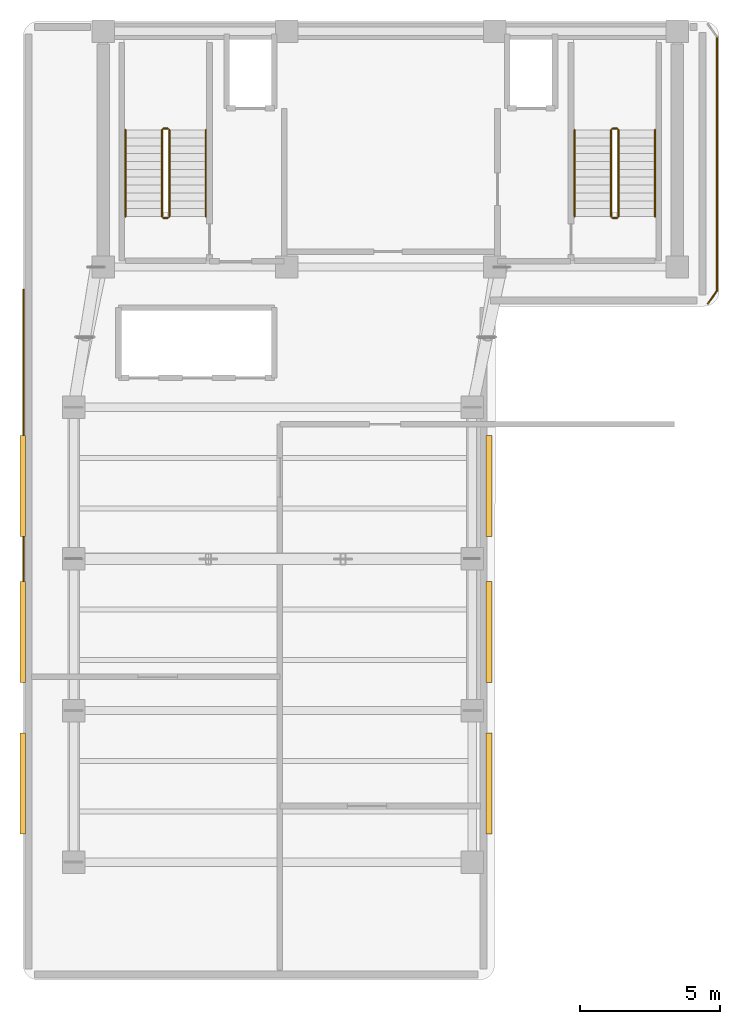
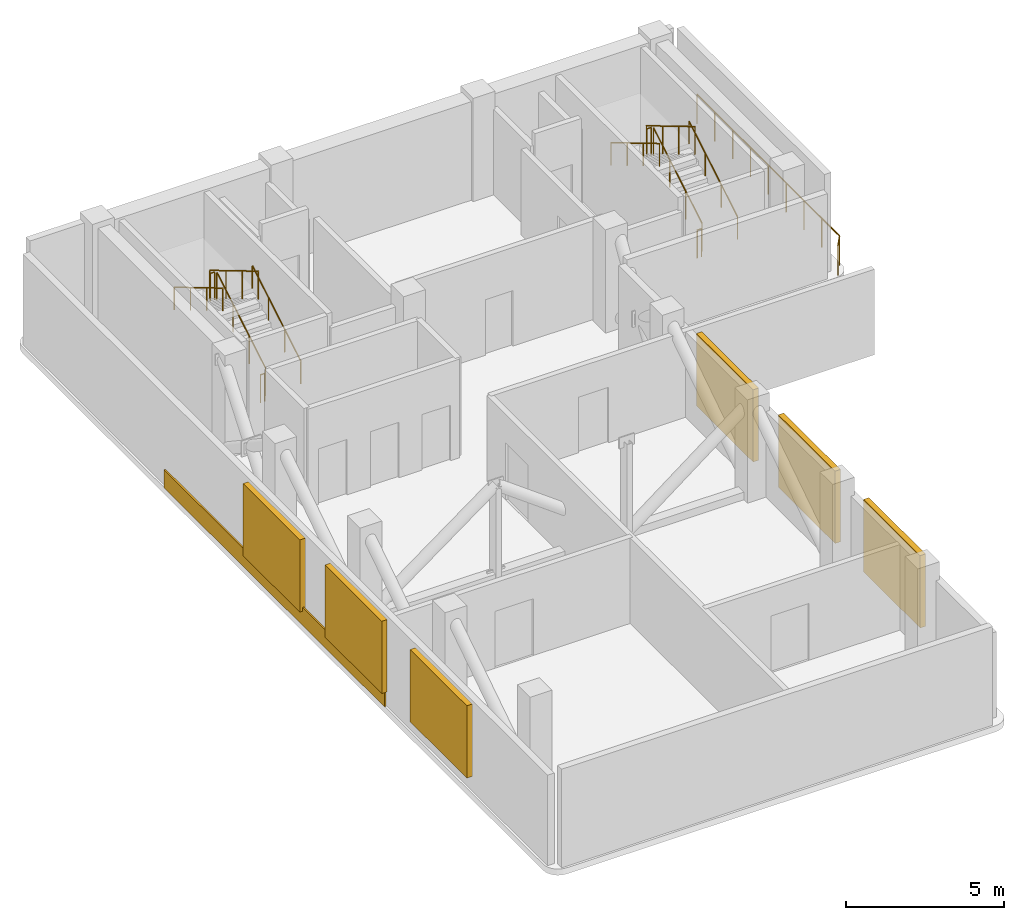
# One storey, part 4 of 5: 14 railings, 6 shading devices, 1 covering.
"""IFC4 building model written with IfcOpenShell, lengths in metres."""

from ifc_helpers import new_model, si_unit, direction, frame, origin, origin_2d, place, context, subcontext, project, spatial, rectangle, circle, extrude, material, layer, layer_set, type_object, element, save


model = new_model("IFC4")

# Units and contexts
model_context = context("Model", 3, precision=1e-05, world=origin(), true_north=direction((0.0, 1.0)))
body_context = subcontext(model_context, "Body", "Model", "MODEL_VIEW")
ifc_project = project(units=[si_unit("LENGTHUNIT", "METRE"), si_unit("AREAUNIT", "SQUARE_METRE"), si_unit("VOLUMEUNIT", "CUBIC_METRE"), si_unit("PLANEANGLEUNIT", "RADIAN"), si_unit("MASSUNIT", "GRAM", prefix="KILO")], contexts=[model_context])

# Site, building, storey
site_placement = place(None, origin())
site = spatial("IfcSite", under=ifc_project, at=site_placement, CompositionType="ELEMENT")
building_placement = place(site_placement, origin())
building = spatial("IfcBuilding", under=site, at=building_placement, Name="Kuzgunbayir Cultural Tower", CompositionType="ELEMENT")
storey_placement = place(building_placement, frame((0.0, 0.0, 214.39990234375)))
storey = spatial("IfcBuildingStorey", under=building, at=storey_placement, Name="L63", CompositionType="ELEMENT", Elevation=214.39990234375)

# Covering
ifc_material_1 = material(Name="Anatolian Cream Limestone", Category="masonry")
ifc_layer_1 = layer(ifc_material_1, 0.06005859375)
ifc_layer_set_1 = layer_set([ifc_layer_1], Name="Anatolian Cream Limestone")
covering_type = type_object("IfcCoveringType", Name="COV-CLAD-LIMESTONE-6", PredefinedType="CLADDING", material=ifc_layer_set_1)
covering_placement = place(storey_placement, frame((3.6201171875, 26.0, 0.0), z_axis=(0.0, 0.0, 1.0), x_axis=(1.0, 0.0, 0.0)))
element("IfcCovering", 1, at=covering_placement, inside=storey, type_object=covering_type, Name="L63 Architectural Spandrel Cladding Band", PredefinedType="CLADDING", context=body_context, shape_type="SweptSolid", body=[
    extrude(rectangle(XDim=0.06005859375, YDim=14.0, at=origin_2d()), origin(), (0.0, 0.0, 1.0), 0.699951171875),
])

# Railings
ifc_material_2 = material(Name="Laminated Glass and Stainless Steel", Category="steel")
ifc_layer_2 = layer(ifc_material_2, 0.080078125)
ifc_layer_set_2 = layer_set([ifc_layer_2], Name="Laminated Glass and Stainless Steel")
railing_type_1 = type_object("IfcRailingType", Name="RLG-BAL-115", PredefinedType="BALUSTRADE", material=ifc_layer_set_2)
railing_1_placement = place(storey_placement, frame((28.320068359375, 42.0, 0.0)))
element("IfcRailing", 2, at=railing_1_placement, inside=storey, type_object=railing_type_1, Name="L63 Perimeter Edge Guard 2", PredefinedType="BALUSTRADE", context=body_context, shape_type="SweptSolid", body=[
    extrude(circle(Radius=0.02392578125, at=origin_2d()), frame((0.0, 0.0, 1.1259765625), z_axis=(0.0, -1.0, 0.0), x_axis=(1.0, 0.0, 0.0)), (0.0, 0.0, 1.0), 9.050048828125),
    extrude(circle(Radius=0.02099609375, at=origin_2d()), origin(), (0.0, 0.0, 1.0), 1.101806640625),
    extrude(circle(Radius=0.02099609375, at=origin_2d()), frame((0.0, -1.13134765625, 0.0)), (0.0, 0.0, 1.0), 1.101806640625),
    extrude(circle(Radius=0.02099609375, at=origin_2d()), frame((0.0, -2.262451171875, 0.0)), (0.0, 0.0, 1.0), 1.101806640625),
    extrude(circle(Radius=0.02099609375, at=origin_2d()), frame((0.0, -3.393798828125, 0.0)), (0.0, 0.0, 1.0), 1.101806640625),
    extrude(circle(Radius=0.02099609375, at=origin_2d()), frame((0.0, -4.52490234375, 0.0)), (0.0, 0.0, 1.0), 1.101806640625),
    extrude(circle(Radius=0.02099609375, at=origin_2d()), frame((0.0, -5.65625, 0.0)), (0.0, 0.0, 1.0), 1.101806640625),
    extrude(circle(Radius=0.02099609375, at=origin_2d()), frame((0.0, -6.78759765625, 0.0)), (0.0, 0.0, 1.0), 1.101806640625),
    extrude(circle(Radius=0.02099609375, at=origin_2d()), frame((0.0, -7.918701171875, 0.0)), (0.0, 0.0, 1.0), 1.101806640625),
    extrude(circle(Radius=0.02099609375, at=origin_2d()), frame((0.0, -9.050048828125, 0.0)), (0.0, 0.0, 1.0), 1.101806640625),
])
railing_2_placement = place(storey_placement, frame((28.320068359375, 32.949951171875, 0.0)))
element("IfcRailing", 3, at=railing_2_placement, inside=storey, type_object=railing_type_1, Name="L63 Perimeter Edge Guard 3", PredefinedType="BALUSTRADE", context=body_context, shape_type="SweptSolid", body=[
    extrude(circle(Radius=0.02392578125, at=origin_2d()), frame((0.0, 0.0, 1.1259765625), z_axis=(-0.579647764944, -0.81486714782, 0.0), x_axis=(0.81486714782, -0.579647764944, 0.0)), (0.0, 0.0, 1.0), 0.55224609375),
    extrude(circle(Radius=0.02099609375, at=origin_2d()), origin(), (0.0, 0.0, 1.0), 1.101806640625),
    extrude(circle(Radius=0.02099609375, at=origin_2d()), frame((-0.320068359375, -0.449951171875, 0.0)), (0.0, 0.0, 1.0), 1.101806640625),
])
ifc_material_3 = material(Name="Brushed Stainless Steel", Category="steel")
ifc_layer_3 = layer(ifc_material_3, 0.050048828125)
ifc_layer_set_3 = layer_set([ifc_layer_3], Name="Brushed Stainless Steel")
railing_type_2 = type_object("IfcRailingType", Name="RLG-STAIR-HANDRAIL", PredefinedType="HANDRAIL", material=ifc_layer_set_3)
railing_3_placement = place(storey_placement, frame((10.110107421875, 35.60009765625, 0.166748046875)))
element("IfcRailing", 4, at=railing_3_placement, inside=storey, type_object=railing_type_2, Name="L63 ST-1 stair handrail 1", PredefinedType="HANDRAIL", context=body_context, shape_type="SweptSolid", body=[
    extrude(circle(Radius=0.02392578125, at=origin_2d()), frame((0.0, 0.0, 0.8759765625), z_axis=(0.0, 0.859290745958, 0.51148745235), x_axis=(-1.0, 0.0, 0.0)), (0.0, 0.0, 1.0), 3.584228515625),
    extrude(circle(Radius=0.02099609375, at=origin_2d()), origin(), (0.0, 0.0, 1.0), 0.851806640625),
    extrude(circle(Radius=0.02099609375, at=origin_2d()), frame((0.0, 1.026611328125, 0.611083984375)), (0.0, 0.0, 1.0), 0.851806640625),
    extrude(circle(Radius=0.02099609375, at=origin_2d()), frame((0.0, 2.05322265625, 1.22216796875)), (0.0, 0.0, 1.0), 0.851806640625),
    extrude(circle(Radius=0.02099609375, at=origin_2d()), frame((0.0, 3.079833984375, 1.833251953125)), (0.0, 0.0, 1.0), 0.851806640625),
])
railing_4_placement = place(storey_placement, frame((7.25, 38.679931640625, 2.166748046875)))
element("IfcRailing", 5, at=railing_4_placement, inside=storey, type_object=railing_type_2, Name="L63 ST-1 stair handrail 2", PredefinedType="HANDRAIL", context=body_context, shape_type="SweptSolid", body=[
    extrude(circle(Radius=0.02392578125, at=origin_2d()), frame((0.0, 0.0, 0.8759765625), z_axis=(0.0, -0.859290745958, 0.51148745235), x_axis=(1.0, 0.0, 0.0)), (0.0, 0.0, 1.0), 3.584228515625),
    extrude(circle(Radius=0.02099609375, at=origin_2d()), origin(), (0.0, 0.0, 1.0), 0.851806640625),
    extrude(circle(Radius=0.02099609375, at=origin_2d()), frame((0.0, -1.026611328125, 0.611083984375)), (0.0, 0.0, 1.0), 0.851806640625),
    extrude(circle(Radius=0.02099609375, at=origin_2d()), frame((0.0, -2.05322265625, 1.22216796875)), (0.0, 0.0, 1.0), 0.851806640625),
    extrude(circle(Radius=0.02099609375, at=origin_2d()), frame((0.0, -3.079833984375, 1.833251953125)), (0.0, 0.0, 1.0), 0.851806640625),
])
railing_5_placement = place(storey_placement, frame((26.110107421875, 35.60009765625, 0.166748046875)))
element("IfcRailing", 6, at=railing_5_placement, inside=storey, type_object=railing_type_2, Name="L63 ST-2 stair handrail 1", PredefinedType="HANDRAIL", context=body_context, shape_type="SweptSolid", body=[
    extrude(circle(Radius=0.02392578125, at=origin_2d()), frame((0.0, 0.0, 0.8759765625), z_axis=(0.0, 0.859290745958, 0.51148745235), x_axis=(-1.0, 0.0, 0.0)), (0.0, 0.0, 1.0), 3.584228515625),
    extrude(circle(Radius=0.02099609375, at=origin_2d()), origin(), (0.0, 0.0, 1.0), 0.851806640625),
    extrude(circle(Radius=0.02099609375, at=origin_2d()), frame((0.0, 1.026611328125, 0.611083984375)), (0.0, 0.0, 1.0), 0.851806640625),
    extrude(circle(Radius=0.02099609375, at=origin_2d()), frame((0.0, 2.05322265625, 1.22216796875)), (0.0, 0.0, 1.0), 0.851806640625),
    extrude(circle(Radius=0.02099609375, at=origin_2d()), frame((0.0, 3.079833984375, 1.833251953125)), (0.0, 0.0, 1.0), 0.851806640625),
])
railing_6_placement = place(storey_placement, frame((23.25, 38.679931640625, 2.166748046875)))
element("IfcRailing", 7, at=railing_6_placement, inside=storey, type_object=railing_type_2, Name="L63 ST-2 stair handrail 2", PredefinedType="HANDRAIL", context=body_context, shape_type="SweptSolid", body=[
    extrude(circle(Radius=0.02392578125, at=origin_2d()), frame((0.0, 0.0, 0.8759765625), z_axis=(0.0, -0.859290745958, 0.51148745235), x_axis=(1.0, 0.0, 0.0)), (0.0, 0.0, 1.0), 3.584228515625),
    extrude(circle(Radius=0.02099609375, at=origin_2d()), origin(), (0.0, 0.0, 1.0), 0.851806640625),
    extrude(circle(Radius=0.02099609375, at=origin_2d()), frame((0.0, -1.026611328125, 0.611083984375)), (0.0, 0.0, 1.0), 0.851806640625),
    extrude(circle(Radius=0.02099609375, at=origin_2d()), frame((0.0, -2.05322265625, 1.22216796875)), (0.0, 0.0, 1.0), 0.851806640625),
    extrude(circle(Radius=0.02099609375, at=origin_2d()), frame((0.0, -3.079833984375, 1.833251953125)), (0.0, 0.0, 1.0), 0.851806640625),
])
ifc_material_4 = material(Name="Painted Steel Balustrade", Category="steel")
ifc_layer_4 = layer(ifc_material_4, 0.06005859375)
ifc_layer_set_4 = layer_set([ifc_layer_4], Name="Painted Steel Balustrade")
railing_type_3 = type_object("IfcRailingType", Name="RLG-WELL-GUARD", PredefinedType="GUARDRAIL", material=ifc_layer_set_4)
railing_7_placement = place(storey_placement, frame((8.81005859375, 35.60009765625, 0.166748046875)))
element("IfcRailing", 8, at=railing_7_placement, inside=storey, type_object=railing_type_3, Name="L63 ST-1 stair guard 1", PredefinedType="GUARDRAIL", context=body_context, shape_type="SweptSolid", body=[
    extrude(circle(Radius=0.02392578125, at=origin_2d()), frame((0.0, 0.0, 1.076171875), z_axis=(0.0, 0.859290745958, 0.51148745235), x_axis=(-1.0, 0.0, 0.0)), (0.0, 0.0, 1.0), 3.584228515625),
    extrude(circle(Radius=0.02099609375, at=origin_2d()), origin(), (0.0, 0.0, 1.0), 1.052001953125),
    extrude(circle(Radius=0.02099609375, at=origin_2d()), frame((0.0, 1.026611328125, 0.611083984375)), (0.0, 0.0, 1.0), 1.052001953125),
    extrude(circle(Radius=0.02099609375, at=origin_2d()), frame((0.0, 2.05322265625, 1.22216796875)), (0.0, 0.0, 1.0), 1.052001953125),
    extrude(circle(Radius=0.02099609375, at=origin_2d()), frame((0.0, 3.079833984375, 1.833251953125)), (0.0, 0.0, 1.0), 1.052001953125),
])
railing_8_placement = place(storey_placement, frame((8.760009765625, 38.72998046875, 2.0)))
element("IfcRailing", 9, at=railing_8_placement, inside=storey, type_object=railing_type_3, Name="L63 ST-1 stair guard 2", PredefinedType="GUARDRAIL", context=body_context, shape_type="SweptSolid", body=[
    extrude(circle(Radius=0.02392578125, at=origin_2d()), frame((0.0, 0.0, 1.076171875), z_axis=(-1.0, 0.0, 0.0), x_axis=(0.0, -1.0, 0.0)), (0.0, 0.0, 1.0), 0.159912109375),
    extrude(circle(Radius=0.02099609375, at=origin_2d()), origin(), (0.0, 0.0, 1.0), 1.052001953125),
    extrude(circle(Radius=0.02099609375, at=origin_2d()), frame((-0.159912109375, 0.0, 0.0)), (0.0, 0.0, 1.0), 1.052001953125),
])
railing_9_placement = place(storey_placement, frame((8.550048828125, 38.679931640625, 2.166748046875)))
element("IfcRailing", 10, at=railing_9_placement, inside=storey, type_object=railing_type_3, Name="L63 ST-1 stair guard 3", PredefinedType="GUARDRAIL", context=body_context, shape_type="SweptSolid", body=[
    extrude(circle(Radius=0.02392578125, at=origin_2d()), frame((0.0, 0.0, 1.076171875), z_axis=(0.0, -0.859290745958, 0.51148745235), x_axis=(1.0, 0.0, 0.0)), (0.0, 0.0, 1.0), 3.584228515625),
    extrude(circle(Radius=0.02099609375, at=origin_2d()), origin(), (0.0, 0.0, 1.0), 1.052001953125),
    extrude(circle(Radius=0.02099609375, at=origin_2d()), frame((0.0, -1.026611328125, 0.611083984375)), (0.0, 0.0, 1.0), 1.052001953125),
    extrude(circle(Radius=0.02099609375, at=origin_2d()), frame((0.0, -2.05322265625, 1.22216796875)), (0.0, 0.0, 1.0), 1.052001953125),
    extrude(circle(Radius=0.02099609375, at=origin_2d()), frame((0.0, -3.079833984375, 1.833251953125)), (0.0, 0.0, 1.0), 1.052001953125),
])
railing_10_placement = place(storey_placement, frame((8.760009765625, 35.550048828125, 0.0)))
element("IfcRailing", 11, at=railing_10_placement, inside=storey, type_object=railing_type_3, Name="L63 ST-1 stair guard 4", PredefinedType="GUARDRAIL", context=body_context, shape_type="SweptSolid", body=[
    extrude(circle(Radius=0.02392578125, at=origin_2d()), frame((0.0, 0.0, 1.076171875), z_axis=(-1.0, 0.0, 0.0), x_axis=(0.0, -1.0, 0.0)), (0.0, 0.0, 1.0), 0.159912109375),
    extrude(circle(Radius=0.02099609375, at=origin_2d()), origin(), (0.0, 0.0, 1.0), 1.052001953125),
    extrude(circle(Radius=0.02099609375, at=origin_2d()), frame((-0.159912109375, 0.0, 0.0)), (0.0, 0.0, 1.0), 1.052001953125),
])
railing_11_placement = place(storey_placement, frame((24.81005859375, 35.60009765625, 0.166748046875)))
element("IfcRailing", 12, at=railing_11_placement, inside=storey, type_object=railing_type_3, Name="L63 ST-2 stair guard 1", PredefinedType="GUARDRAIL", context=body_context, shape_type="SweptSolid", body=[
    extrude(circle(Radius=0.02392578125, at=origin_2d()), frame((0.0, 0.0, 1.076171875), z_axis=(0.0, 0.859290745958, 0.51148745235), x_axis=(-1.0, 0.0, 0.0)), (0.0, 0.0, 1.0), 3.584228515625),
    extrude(circle(Radius=0.02099609375, at=origin_2d()), origin(), (0.0, 0.0, 1.0), 1.052001953125),
    extrude(circle(Radius=0.02099609375, at=origin_2d()), frame((0.0, 1.026611328125, 0.611083984375)), (0.0, 0.0, 1.0), 1.052001953125),
    extrude(circle(Radius=0.02099609375, at=origin_2d()), frame((0.0, 2.05322265625, 1.22216796875)), (0.0, 0.0, 1.0), 1.052001953125),
    extrude(circle(Radius=0.02099609375, at=origin_2d()), frame((0.0, 3.079833984375, 1.833251953125)), (0.0, 0.0, 1.0), 1.052001953125),
])
railing_12_placement = place(storey_placement, frame((24.760009765625, 38.72998046875, 2.0)))
element("IfcRailing", 13, at=railing_12_placement, inside=storey, type_object=railing_type_3, Name="L63 ST-2 stair guard 2", PredefinedType="GUARDRAIL", context=body_context, shape_type="SweptSolid", body=[
    extrude(circle(Radius=0.02392578125, at=origin_2d()), frame((0.0, 0.0, 1.076171875), z_axis=(-1.0, 0.0, 0.0), x_axis=(0.0, -1.0, 0.0)), (0.0, 0.0, 1.0), 0.159912109375),
    extrude(circle(Radius=0.02099609375, at=origin_2d()), origin(), (0.0, 0.0, 1.0), 1.052001953125),
    extrude(circle(Radius=0.02099609375, at=origin_2d()), frame((-0.159912109375, 0.0, 0.0)), (0.0, 0.0, 1.0), 1.052001953125),
])
railing_13_placement = place(storey_placement, frame((24.550048828125, 38.679931640625, 2.166748046875)))
element("IfcRailing", 14, at=railing_13_placement, inside=storey, type_object=railing_type_3, Name="L63 ST-2 stair guard 3", PredefinedType="GUARDRAIL", context=body_context, shape_type="SweptSolid", body=[
    extrude(circle(Radius=0.02392578125, at=origin_2d()), frame((0.0, 0.0, 1.076171875), z_axis=(0.0, -0.859290745958, 0.51148745235), x_axis=(1.0, 0.0, 0.0)), (0.0, 0.0, 1.0), 3.584228515625),
    extrude(circle(Radius=0.02099609375, at=origin_2d()), origin(), (0.0, 0.0, 1.0), 1.052001953125),
    extrude(circle(Radius=0.02099609375, at=origin_2d()), frame((0.0, -1.026611328125, 0.611083984375)), (0.0, 0.0, 1.0), 1.052001953125),
    extrude(circle(Radius=0.02099609375, at=origin_2d()), frame((0.0, -2.05322265625, 1.22216796875)), (0.0, 0.0, 1.0), 1.052001953125),
    extrude(circle(Radius=0.02099609375, at=origin_2d()), frame((0.0, -3.079833984375, 1.833251953125)), (0.0, 0.0, 1.0), 1.052001953125),
])
railing_14_placement = place(storey_placement, frame((24.760009765625, 35.550048828125, 0.0)))
element("IfcRailing", 15, at=railing_14_placement, inside=storey, type_object=railing_type_3, Name="L63 ST-2 stair guard 4", PredefinedType="GUARDRAIL", context=body_context, shape_type="SweptSolid", body=[
    extrude(circle(Radius=0.02392578125, at=origin_2d()), frame((0.0, 0.0, 1.076171875), z_axis=(-1.0, 0.0, 0.0), x_axis=(0.0, -1.0, 0.0)), (0.0, 0.0, 1.0), 0.159912109375),
    extrude(circle(Radius=0.02099609375, at=origin_2d()), origin(), (0.0, 0.0, 1.0), 1.052001953125),
    extrude(circle(Radius=0.02099609375, at=origin_2d()), frame((-0.159912109375, 0.0, 0.0)), (0.0, 0.0, 1.0), 1.052001953125),
])

# Shading devices
ifc_material_5 = material(Name="Acoustic Stormproof Aluminium Louvre", Category="aluminium")
shading_device_type = type_object("IfcShadingDeviceType", Name="SHD-PLANT-LOUVRE", PredefinedType="USERDEFINED", material=ifc_material_5)
for number, where, z_axis, x_axis, name in (
    (16, (3.590087890625, 15.39990234375, 0.55029296875), (0.0, 0.0, 1.0), (1.0, 0.0, 0.0), "L63 Refuge Acoustic Louvre W1"),
    (17, (20.199951171875, 15.39990234375, 0.55029296875), (0.0, 0.0, 1.0), (1.0, 0.0, 0.0), "L63 Refuge Acoustic Louvre E1"),
    (18, (3.590087890625, 20.800048828125, 0.55029296875), (0.0, 0.0, 1.0), (1.0, 0.0, 0.0), "L63 Refuge Acoustic Louvre W2"),
    (19, (20.199951171875, 20.800048828125, 0.55029296875), (0.0, 0.0, 1.0), (1.0, 0.0, 0.0), "L63 Refuge Acoustic Louvre E2"),
    (20, (3.590087890625, 26.0, 0.55029296875), (0.0, 0.0, 1.0), (1.0, 0.0, 0.0), "L63 Refuge Acoustic Louvre W3"),
    (21, (20.199951171875, 26.0, 0.55029296875), (0.0, 0.0, 1.0), (1.0, 0.0, 0.0), "L63 Refuge Acoustic Louvre E3"),
):
    element("IfcShadingDevice", number, at=place(storey_placement, frame(where, z_axis=z_axis, x_axis=x_axis)), inside=storey, type_object=shading_device_type, Name=name, ObjectType="LOUVRE", PredefinedType="USERDEFINED", context=body_context, shape_type="SweptSolid", body=[
        extrude(rectangle(XDim=0.199951171875, YDim=3.60009765625, at=origin_2d()), origin(), (0.0, 0.0, 1.0), 2.800048828125),
    ])

save(model, "model.ifc")
